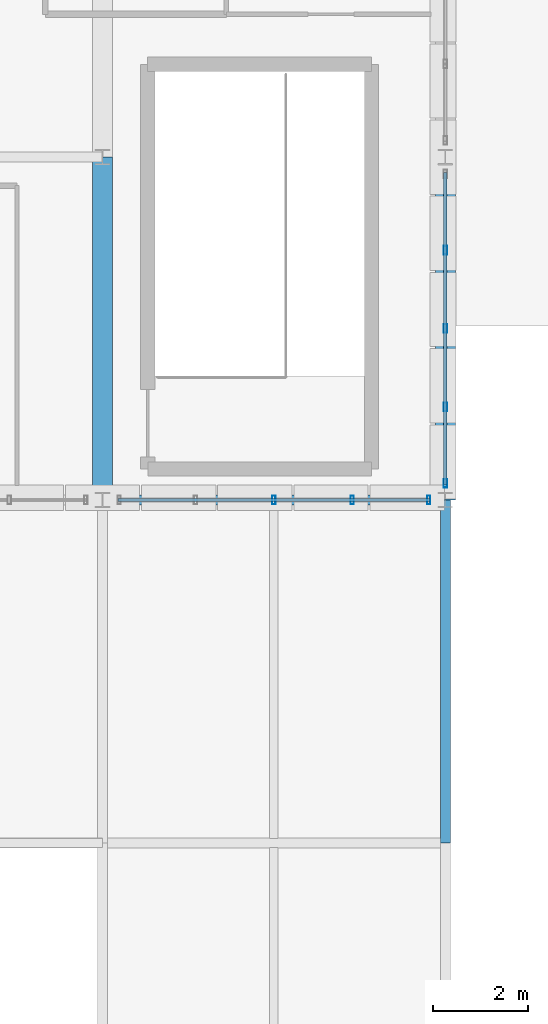
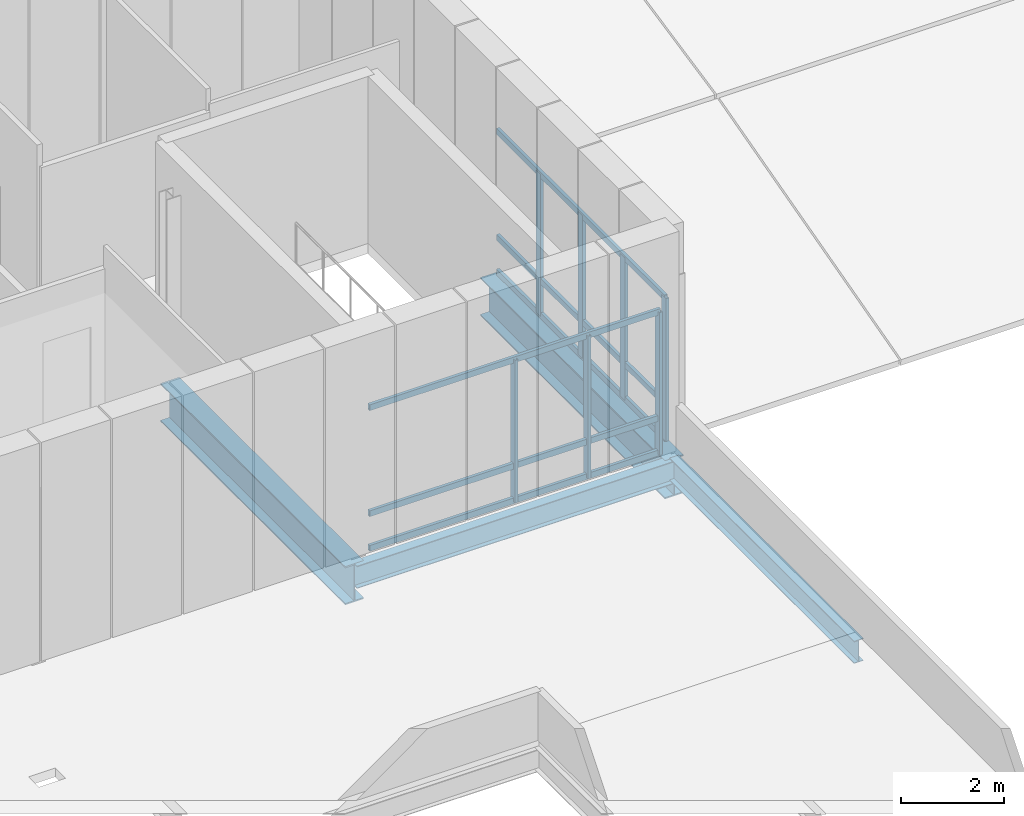
# One storey, part 9 of 47: 13 members, 4 beams, 2 elements without a shape of their own.
"""IFC4 building model written with IfcOpenShell, lengths in metres."""

from ifc_helpers import new_model, si_unit, direction, frame, origin, origin_2d, place, context, subcontext, project, spatial, hollow_rectangle, i_section, extrude, material, material_profile, profile_set, type_object, element, aggregate, save


model = new_model("IFC4")

# Units and contexts
model_context = context("Model", 3, precision=1e-05, world=origin(), true_north=direction((0.0, 1.0)))
body_context = subcontext(model_context, "Body", "Model", "MODEL_VIEW")
ifc_project = project(units=[si_unit("LENGTHUNIT", "METRE"), si_unit("AREAUNIT", "SQUARE_METRE"), si_unit("VOLUMEUNIT", "CUBIC_METRE"), si_unit("PLANEANGLEUNIT", "RADIAN"), si_unit("MASSUNIT", "GRAM", prefix="KILO")], contexts=[model_context])

# Site, building, storey
site_placement = place(None, origin())
site = spatial("IfcSite", under=ifc_project, at=site_placement, CompositionType="ELEMENT")
building_placement = place(site_placement, origin())
building = spatial("IfcBuilding", under=site, at=building_placement, Name="Yarey Park Central Fire Station", CompositionType="ELEMENT")
storey_placement = place(building_placement, frame((0.0, 0.0, 18.0)))
storey = spatial("IfcBuildingStorey", under=building, at=storey_placement, Name="L05", CompositionType="ELEMENT", Elevation=18.0)

# Curtain wall, members
ifc_material_1 = material(Name="Anodized Aluminium Frame", Category="aluminium")
curtain_wall_type = type_object("IfcCurtainWallType", Name="ENV_CW_V3_PAV", PredefinedType="NOTDEFINED", material=ifc_material_1)
curtain_wall_1_placement = place(storey_placement, origin())
curtain_wall_1 = element("IfcCurtainWall", 1, at=curtain_wall_1_placement, inside=storey, type_object=curtain_wall_type, Name="CW_L05_V3_S_082", PredefinedType="NOTDEFINED")
ifc_material_profile_1 = material_profile(ifc_material_1, hollow_rectangle(XDim=0.070068359375, YDim=0.179931640625, WallThickness=0.00390625, at=origin_2d()), Name="ALU 180x70x4")
ifc_profile_set_1 = profile_set([ifc_material_profile_1], Name="Anodized Aluminium Frame")
member_type_1 = type_object("IfcMemberType", Name="ENV_CW_MULLION", PredefinedType="MULLION", material=ifc_profile_set_1)
member_1_placement = place(storey_placement, frame((54.0, 57.60009765625, 0.0), z_axis=(0.0, 0.0, 1.0), x_axis=(1.0, 0.0, 0.0)))
member_1 = element("IfcMember", 2, at=member_1_placement, type_object=member_type_1, Name="CW_L05_V3_S_082_MUL3", PredefinedType="MULLION", context=body_context, shape_type="SweptSolid", body=[
    extrude(hollow_rectangle(XDim=0.070068359375, YDim=0.179931640625, WallThickness=0.00390625, at=origin_2d()), origin(), (0.0, 0.0, 1.0), 3.39990234375),
])
member_2_placement = place(storey_placement, frame((55.64501953125, 57.60009765625, 0.0), z_axis=(0.0, 0.0, 1.0), x_axis=(1.0, 0.0, 0.0)))
member_2 = element("IfcMember", 3, at=member_2_placement, type_object=member_type_1, Name="CW_L05_V3_S_082_MUL4", PredefinedType="MULLION", context=body_context, shape_type="SweptSolid", body=[
    extrude(hollow_rectangle(XDim=0.070068359375, YDim=0.179931640625, WallThickness=0.00390625, at=origin_2d()), origin(), (0.0, 0.0, 1.0), 3.39990234375),
])
member_3_placement = place(storey_placement, frame((57.25, 57.60009765625, 0.0), z_axis=(0.0, 0.0, 1.0), x_axis=(1.0, 0.0, 0.0)))
member_3 = element("IfcMember", 4, at=member_3_placement, type_object=member_type_1, Name="CW_L05_V3_S_082_MUL5", PredefinedType="MULLION", context=body_context, shape_type="SweptSolid", body=[
    extrude(hollow_rectangle(XDim=0.070068359375, YDim=0.179931640625, WallThickness=0.00390625, at=origin_2d()), origin(), (0.0, 0.0, 1.0), 3.39990234375),
])

curtain_wall_2_placement = place(storey_placement, origin())
curtain_wall_2 = element("IfcCurtainWall", 5, at=curtain_wall_2_placement, inside=storey, type_object=curtain_wall_type, Name="CW_L05_V3_E_084", PredefinedType="NOTDEFINED")
member_4_placement = place(storey_placement, frame((57.60009765625, 57.949951171875, 0.0), z_axis=(0.0, 0.0, 1.0), x_axis=(1.0, 0.0, 0.0)))
member_4 = element("IfcMember", 6, at=member_4_placement, type_object=member_type_1, Name="CW_L05_V3_E_084_MUL1", PredefinedType="MULLION", context=body_context, shape_type="SweptSolid", body=[
    extrude(hollow_rectangle(XDim=0.070068359375, YDim=0.179931640625, WallThickness=0.00390625, at=origin_2d()), origin(), (0.0, 0.0, 1.0), 3.39990234375),
])
member_5_placement = place(storey_placement, frame((57.60009765625, 59.554931640625, 0.0), z_axis=(0.0, 0.0, 1.0), x_axis=(1.0, 0.0, 0.0)))
member_5 = element("IfcMember", 7, at=member_5_placement, type_object=member_type_1, Name="CW_L05_V3_E_084_MUL2", PredefinedType="MULLION", context=body_context, shape_type="SweptSolid", body=[
    extrude(hollow_rectangle(XDim=0.070068359375, YDim=0.179931640625, WallThickness=0.00390625, at=origin_2d()), origin(), (0.0, 0.0, 1.0), 3.39990234375),
])
member_6_placement = place(storey_placement, frame((57.60009765625, 61.199951171875, 0.0), z_axis=(0.0, 0.0, 1.0), x_axis=(1.0, 0.0, 0.0)))
member_6 = element("IfcMember", 8, at=member_6_placement, type_object=member_type_1, Name="CW_L05_V3_E_084_MUL3", PredefinedType="MULLION", context=body_context, shape_type="SweptSolid", body=[
    extrude(hollow_rectangle(XDim=0.070068359375, YDim=0.179931640625, WallThickness=0.00390625, at=origin_2d()), origin(), (0.0, 0.0, 1.0), 3.39990234375),
])
member_7_placement = place(storey_placement, frame((57.60009765625, 62.844970703125, 0.0), z_axis=(0.0, 0.0, 1.0), x_axis=(1.0, 0.0, 0.0)))
member_7 = element("IfcMember", 9, at=member_7_placement, type_object=member_type_1, Name="CW_L05_V3_E_084_MUL4", PredefinedType="MULLION", context=body_context, shape_type="SweptSolid", body=[
    extrude(hollow_rectangle(XDim=0.070068359375, YDim=0.179931640625, WallThickness=0.00390625, at=origin_2d()), origin(), (0.0, 0.0, 1.0), 3.39990234375),
])

# Member
ifc_material_profile_2 = material_profile(ifc_material_1, hollow_rectangle(XDim=0.070068359375, YDim=0.139892578125, WallThickness=0.00390625, at=origin_2d()), Name="ALU 140x70x4")
ifc_profile_set_2 = profile_set([ifc_material_profile_2], Name="Anodized Aluminium Frame")
member_type_2 = type_object("IfcMemberType", Name="ENV_CW_TRANSOM", PredefinedType="USERDEFINED", material=ifc_profile_set_2)
member_8_placement = place(storey_placement, frame((50.72509765625, 57.60009765625, 0.02490234375), z_axis=(1.0, 0.0, 0.0), x_axis=(0.0, 1.0, 0.0)))
member_8 = element("IfcMember", 10, at=member_8_placement, type_object=member_type_2, Name="CW_L05_V3_S_082_TRN1", ObjectType="TRANSOM", PredefinedType="USERDEFINED", context=body_context, shape_type="SweptSolid", body=[
    extrude(hollow_rectangle(XDim=0.070068359375, YDim=0.139892578125, WallThickness=0.00390625, at=origin_2d()), origin(), (0.0, 0.0, 1.0), 6.5498046875),
])

member_9_placement = place(storey_placement, frame((50.72509765625, 57.60009765625, 0.85009765625), z_axis=(1.0, 0.0, 0.0), x_axis=(0.0, 1.0, 0.0)))
member_9 = element("IfcMember", 11, at=member_9_placement, type_object=member_type_2, Name="CW_L05_V3_S_082_TRN2", ObjectType="TRANSOM", PredefinedType="USERDEFINED", context=body_context, shape_type="SweptSolid", body=[
    extrude(hollow_rectangle(XDim=0.070068359375, YDim=0.139892578125, WallThickness=0.00390625, at=origin_2d()), origin(), (0.0, 0.0, 1.0), 6.5498046875),
])

member_10_placement = place(storey_placement, frame((50.72509765625, 57.60009765625, 3.375), z_axis=(1.0, 0.0, 0.0), x_axis=(0.0, 1.0, 0.0)))
member_10 = element("IfcMember", 12, at=member_10_placement, type_object=member_type_2, Name="CW_L05_V3_S_082_TRN3", ObjectType="TRANSOM", PredefinedType="USERDEFINED", context=body_context, shape_type="SweptSolid", body=[
    extrude(hollow_rectangle(XDim=0.070068359375, YDim=0.139892578125, WallThickness=0.00390625, at=origin_2d()), origin(), (0.0, 0.0, 1.0), 6.5498046875),
])

aggregate(curtain_wall_1, [member_1, member_2, member_3, member_8, member_9, member_10])

member_11_placement = place(storey_placement, frame((57.60009765625, 57.925048828125, 0.02490234375), z_axis=(0.0, 1.0, 0.0), x_axis=(-1.0, 0.0, 0.0)))
member_11 = element("IfcMember", 13, at=member_11_placement, type_object=member_type_2, Name="CW_L05_V3_E_084_TRN1", ObjectType="TRANSOM", PredefinedType="USERDEFINED", context=body_context, shape_type="SweptSolid", body=[
    extrude(hollow_rectangle(XDim=0.070068359375, YDim=0.139892578125, WallThickness=0.00390625, at=origin_2d()), origin(), (0.0, 0.0, 1.0), 6.550048828125),
])

member_12_placement = place(storey_placement, frame((57.60009765625, 57.925048828125, 0.85009765625), z_axis=(0.0, 1.0, 0.0), x_axis=(-1.0, 0.0, 0.0)))
member_12 = element("IfcMember", 14, at=member_12_placement, type_object=member_type_2, Name="CW_L05_V3_E_084_TRN2", ObjectType="TRANSOM", PredefinedType="USERDEFINED", context=body_context, shape_type="SweptSolid", body=[
    extrude(hollow_rectangle(XDim=0.070068359375, YDim=0.139892578125, WallThickness=0.00390625, at=origin_2d()), origin(), (0.0, 0.0, 1.0), 6.550048828125),
])

member_13_placement = place(storey_placement, frame((57.60009765625, 57.925048828125, 3.375), z_axis=(0.0, 1.0, 0.0), x_axis=(-1.0, 0.0, 0.0)))
member_13 = element("IfcMember", 15, at=member_13_placement, type_object=member_type_2, Name="CW_L05_V3_E_084_TRN3", ObjectType="TRANSOM", PredefinedType="USERDEFINED", context=body_context, shape_type="SweptSolid", body=[
    extrude(hollow_rectangle(XDim=0.070068359375, YDim=0.139892578125, WallThickness=0.00390625, at=origin_2d()), origin(), (0.0, 0.0, 1.0), 6.550048828125),
])

aggregate(curtain_wall_2, [member_4, member_5, member_6, member_7, member_11, member_12, member_13])

# Beams
ifc_material_2 = material(Name="Steel ASTM A992 Gr. 50", Category="steel")
ifc_material_profile_3 = material_profile(ifc_material_2, i_section(OverallWidth=0.208984375, OverallDepth=0.532958984375, WebThickness=0.01025390625, FlangeThickness=0.015625, at=origin_2d()), Name="W530x92")
ifc_profile_set_3 = profile_set([ifc_material_profile_3], Name="Steel ASTM A992 Gr. 50")
beam_type_1 = type_object("IfcBeamType", Name="STR_BM_W530", PredefinedType="BEAM", material=ifc_profile_set_3)
for number, where, z_axis, x_axis, name in (
    (16, (50.39990234375, 57.60009765625, -0.506591796875), (1.0, 0.0, 0.0), (0.0, 1.0, 0.0), "BMX L05 Y576 X504"),
    (17, (57.60009765625, 50.39990234375, -0.4765625), (0.0, 1.0, 0.0), (-1.0, 0.0, 0.0), "BMY L05 X576 Y504"),
):
    element("IfcBeam", number, at=place(storey_placement, frame(where, z_axis=z_axis, x_axis=x_axis)), inside=storey, type_object=beam_type_1, Name=name, PredefinedType="BEAM", context=body_context, shape_type="SweptSolid", body=[
        extrude(i_section(OverallWidth=0.208984375, OverallDepth=0.532958984375, WebThickness=0.01025390625, FlangeThickness=0.015625, at=origin_2d()), origin(), (0.0, 0.0, 1.0), 7.2001953125),
    ])
ifc_material_profile_4 = material_profile(ifc_material_2, i_section(OverallWidth=0.41796875, OverallDepth=0.912109375, WebThickness=0.019287109375, FlangeThickness=0.031982421875, at=origin_2d()), Name="W920x342")
ifc_profile_set_4 = profile_set([ifc_material_profile_4], Name="Steel ASTM A992 Gr. 50")
beam_type_2 = type_object("IfcBeamType", Name="STR_BM_W920", PredefinedType="BEAM", material=ifc_profile_set_4)
beam_1_placement = place(storey_placement, frame((50.39990234375, 57.60009765625, -0.696044921875), z_axis=(0.0, 1.0, 0.0), x_axis=(-1.0, 0.0, 0.0)))
element("IfcBeam", 18, at=beam_1_placement, inside=storey, type_object=beam_type_2, Name="Transfer Truss TT4 L05 CH1", PredefinedType="BEAM", context=body_context, shape_type="SweptSolid", body=[
    extrude(i_section(OverallWidth=0.41796875, OverallDepth=0.912109375, WebThickness=0.019287109375, FlangeThickness=0.031982421875, at=origin_2d()), origin(), (0.0, 0.0, 1.0), 7.199951171875),
])
ifc_material_profile_5 = material_profile(ifc_material_2, i_section(OverallWidth=0.41796875, OverallDepth=0.912109375, WebThickness=0.019287109375, FlangeThickness=0.031982421875, at=origin_2d()), Name="W920x342")
ifc_profile_set_5 = profile_set([ifc_material_profile_5], Name="Steel ASTM A992 Gr. 50")
beam_type_3 = type_object("IfcBeamType", Name="STR_BM_W920E", PredefinedType="BEAM", material=ifc_profile_set_5)
beam_2_placement = place(storey_placement, frame((57.60009765625, 57.60009765625, -0.696044921875), z_axis=(0.0, 1.0, 0.0), x_axis=(-1.0, 0.0, 0.0)))
element("IfcBeam", 19, at=beam_2_placement, inside=storey, type_object=beam_type_3, Name="Transfer Truss TT5 L05 CH1", PredefinedType="BEAM", context=body_context, shape_type="SweptSolid", body=[
    extrude(i_section(OverallWidth=0.41796875, OverallDepth=0.912109375, WebThickness=0.019287109375, FlangeThickness=0.031982421875, at=origin_2d()), origin(), (0.0, 0.0, 1.0), 7.199951171875),
])

save(model, "model.ifc")
